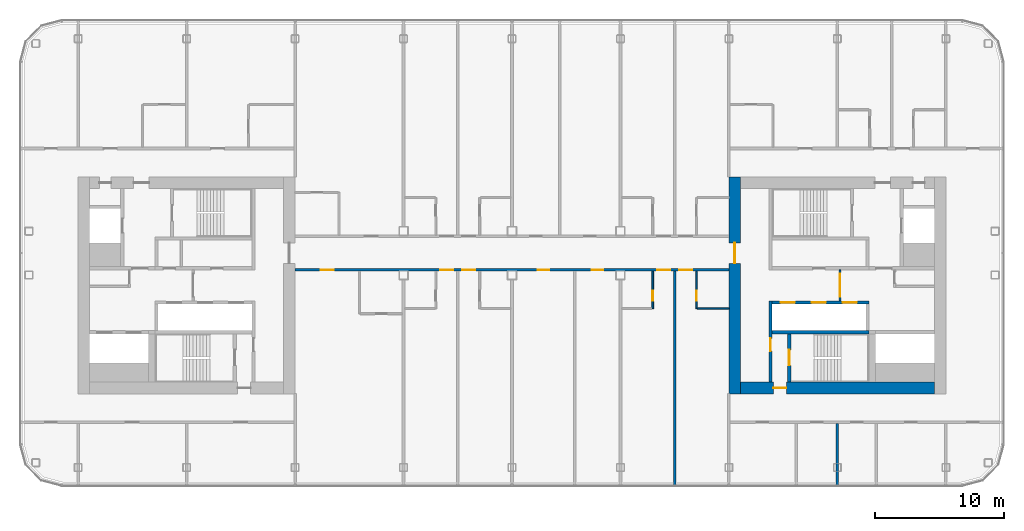
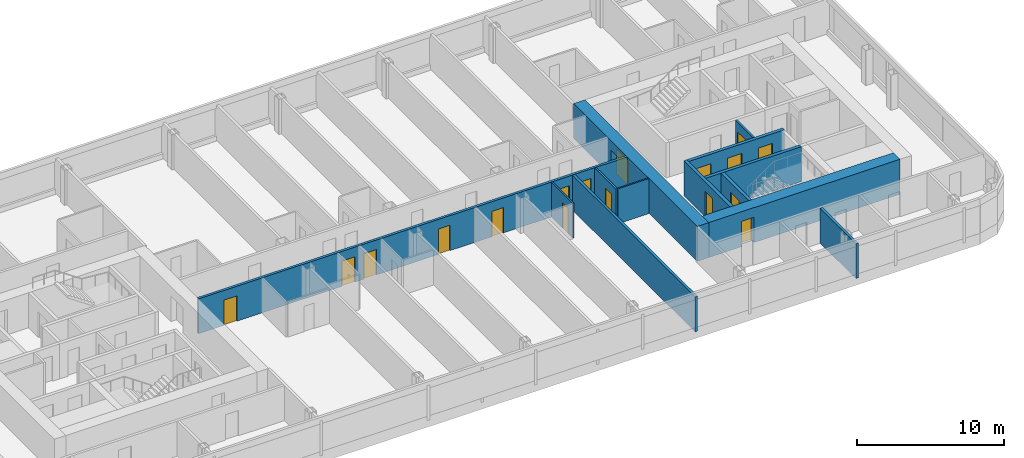
# One storey, part 15 of 26: 17 doors, 13 walls, 17 openings.
"""IFC4 building model written with IfcOpenShell, lengths in metres."""

from ifc_helpers import new_model, si_unit, direction, frame, frame_2d, origin, place, context, subcontext, project, spatial, rectangle, extrude, material, layer, layer_set, type_object, element, fill, save


model = new_model("IFC4")

# Units and contexts
model_context = context("Model", 3, precision=1e-05, world=origin(), true_north=direction((0.0, 1.0)))
body_context = subcontext(model_context, "Body", "Model", "MODEL_VIEW")
ifc_project = project(units=[si_unit("LENGTHUNIT", "METRE"), si_unit("AREAUNIT", "SQUARE_METRE"), si_unit("VOLUMEUNIT", "CUBIC_METRE"), si_unit("PLANEANGLEUNIT", "RADIAN"), si_unit("MASSUNIT", "GRAM", prefix="KILO")], contexts=[model_context])

# Site, building, storey
site_placement = place(None, origin())
site = spatial("IfcSite", under=ifc_project, at=site_placement, CompositionType="ELEMENT")
building_placement = place(site_placement, origin())
building = spatial("IfcBuilding", under=site, at=building_placement, Name="Hakoniwa Tower and Hamabe Station Hall", CompositionType="ELEMENT")
storey_placement = place(building_placement, frame((0.0, 0.0, 225.0)))
storey = spatial("IfcBuildingStorey", under=building, at=storey_placement, Name="L64", CompositionType="ELEMENT", Elevation=225.0)

# Wall
ifc_material_1 = material(Name="Gypsum board partition", Category="gypsum")
ifc_layer_1 = layer(ifc_material_1, 0.125)
ifc_layer_set_1 = layer_set([ifc_layer_1], Name="Bathroom Partition 125")
wall_type_1 = type_object("IfcWallType", Name="Bathroom Partition 125", PredefinedType="PARTITIONING", material=ifc_layer_set_1)
wall_1_placement = place(storey_placement, frame((14.362548828125, -1.800048828125, 0.0), z_axis=(0.0, 0.0, 1.0), x_axis=(1.0, 0.0, 0.0)))
element("IfcWall", 1, at=wall_1_placement, inside=storey, type_object=wall_type_1, Name="GW-L64-007", PredefinedType="PARTITIONING", context=body_context, shape_type="SweptSolid", body=[
    extrude(rectangle(XDim=2.447509765625, YDim=0.125, at=frame_2d((1.2236328125, 0.0))), origin(), (0.0, 0.0, 1.0), 2.89990234375),
])

# Wall, opening, door
wall_2_placement = place(storey_placement, frame((10.89990234375, -1.800048828125, 0.0), z_axis=(0.0, 0.0, 1.0), x_axis=(0.0, 1.0, 0.0)))
wall_2 = element("IfcWall", 2, at=wall_2_placement, inside=storey, type_object=wall_type_1, Name="GW-L64-046", PredefinedType="PARTITIONING", context=body_context, shape_type="SweptSolid", body=[
    extrude(rectangle(XDim=2.900146484375, YDim=0.125, at=frame_2d((1.4501953125, 0.0))), origin(), (0.0, 0.0, 1.0), 2.89990234375),
])
opening_1_placement = place(wall_2_placement, frame((0.60009765625, 0.0, 0.0)))
opening_1 = element("IfcOpeningElement", 3, at=opening_1_placement, cuts=wall_2, Name="Opening GD-G4C2-39", PredefinedType="OPENING", context=body_context, shape_type="SweptSolid", body=[
    extrude(rectangle(XDim=0.800048828125, YDim=2.10009765625, at=frame_2d((0.39990234375, 1.050048828125))), frame((0.0, 0.072509765625, 0.0), z_axis=(0.0, -1.0, 0.0), x_axis=(1.0, 0.0, 0.0)), (0.0, 0.0, 1.0), 0.14501953125),
])
ifc_material_2 = material(Name="Timber door leaf", Category="wood")
door_type_1 = type_object("IfcDoorType", Name="Bathroom Door 800", OperationType="SINGLE_SWING_LEFT", PredefinedType="DOOR", material=ifc_material_2)
door_1_placement = place(opening_1_placement, origin())
door_1 = element("IfcDoor", 4, at=door_1_placement, inside=storey, type_object=door_type_1, Name="Door GD-G4C2-39", OperationType="SINGLE_SWING_RIGHT", OverallHeight=2.10009765625, OverallWidth=0.800048828125, PredefinedType="DOOR", context=body_context, shape_type="SweptSolid", body=[
    extrude(rectangle(XDim=0.800048828125, YDim=2.10009765625, at=frame_2d((0.39990234375, 1.050048828125))), frame((0.0, 0.02490234375, 0.0), z_axis=(0.0, -1.0, 0.0), x_axis=(1.0, 0.0, 0.0)), (0.0, 0.0, 1.0), 0.050048828125),
])
fill(opening_1, door_1)

wall_3_placement = place(storey_placement, frame((14.300048828125, -1.800048828125, 0.0), z_axis=(0.0, 0.0, 1.0), x_axis=(0.0, 1.0, 0.0)))
wall_3 = element("IfcWall", 5, at=wall_3_placement, inside=storey, type_object=wall_type_1, Name="GW-L64-050", PredefinedType="PARTITIONING", context=body_context, shape_type="SweptSolid", body=[
    extrude(rectangle(XDim=2.900146484375, YDim=0.125, at=frame_2d((1.4501953125, 0.0))), origin(), (0.0, 0.0, 1.0), 2.89990234375),
])
opening_2_placement = place(wall_3_placement, frame((0.60009765625, 0.0, 0.0)))
opening_2 = element("IfcOpeningElement", 6, at=opening_2_placement, cuts=wall_3, Name="Opening GD-G4C2-41", PredefinedType="OPENING", context=body_context, shape_type="SweptSolid", body=[
    extrude(rectangle(XDim=0.800048828125, YDim=2.10009765625, at=frame_2d((0.39990234375, 1.050048828125))), frame((0.0, 0.072509765625, 0.0), z_axis=(0.0, -1.0, 0.0), x_axis=(1.0, 0.0, 0.0)), (0.0, 0.0, 1.0), 0.14501953125),
])
door_2_placement = place(opening_2_placement, origin())
door_2 = element("IfcDoor", 7, at=door_2_placement, inside=storey, type_object=door_type_1, Name="Door GD-G4C2-41", OperationType="SINGLE_SWING_LEFT", OverallHeight=2.10009765625, OverallWidth=0.800048828125, PredefinedType="DOOR", context=body_context, shape_type="SweptSolid", body=[
    extrude(rectangle(XDim=0.800048828125, YDim=2.10009765625, at=frame_2d((0.39990234375, 1.050048828125))), frame((0.0, 0.02490234375, 0.0), z_axis=(0.0, -1.0, 0.0), x_axis=(1.0, 0.0, 0.0)), (0.0, 0.0, 1.0), 0.050048828125),
])
fill(opening_2, door_2)

ifc_material_3 = material(Name="Gypsum board partition")
ifc_layer_2 = layer(ifc_material_3, 0.14990234375)
ifc_layer_set_2 = layer_set([ifc_layer_2], Name="CORE PARTITION 150 EI 60")
wall_type_2 = type_object("IfcWallType", Name="CORE PARTITION 150 EI 60", PredefinedType="PARTITIONING", material=ifc_layer_set_2)
wall_4_placement = place(storey_placement, frame((25.39990234375, -1.199951171875, 0.0), z_axis=(0.0, 0.0, 1.0), x_axis=(0.0, 1.0, 0.0)))
wall_4 = element("IfcWall", 8, at=wall_4_placement, inside=storey, type_object=wall_type_2, Name="Core partition PL0 east", PredefinedType="PARTITIONING", context=body_context, shape_type="SweptSolid", body=[
    extrude(rectangle(XDim=2.39990234375, YDim=0.14990234375, at=frame_2d((1.199951171875, 0.0))), origin(), (0.0, 0.0, 1.0), 2.89990234375),
])
opening_3_placement = place(wall_4_placement, frame((0.300048828125, 0.0, 0.0)))
opening_3 = element("IfcOpeningElement", 9, at=opening_3_placement, cuts=wall_4, Name="Opening CD-E-LP0-18", PredefinedType="OPENING", context=body_context, shape_type="SweptSolid", body=[
    extrude(rectangle(XDim=1.800048828125, YDim=2.10009765625, at=frame_2d((0.89990234375, 1.050048828125))), frame((0.0, 0.0849609375, 0.0), z_axis=(0.0, -1.0, 0.0), x_axis=(1.0, 0.0, 0.0)), (0.0, 0.0, 1.0), 0.169921875),
])
ifc_material_4 = material(Name="Steel fire door", Category="steel")
door_type_2 = type_object("IfcDoorType", Name="CORE DOOR 1800 FD60", OperationType="DOUBLE_DOOR_SINGLE_SWING", PredefinedType="DOOR", material=ifc_material_4)
door_3_placement = place(opening_3_placement, origin())
door_3 = element("IfcDoor", 10, at=door_3_placement, inside=storey, type_object=door_type_2, Name="Lift lobby partition door", OperationType="DOUBLE_DOOR_SINGLE_SWING", OverallHeight=2.10009765625, OverallWidth=1.800048828125, PredefinedType="DOOR", context=body_context, shape_type="SweptSolid", body=[
    extrude(rectangle(XDim=1.800048828125, YDim=2.10009765625, at=frame_2d((0.89990234375, 1.050048828125))), frame((0.0, 0.02490234375, 0.0), z_axis=(0.0, -1.0, 0.0), x_axis=(1.0, 0.0, 0.0)), (0.0, 0.0, 1.0), 0.050048828125),
])
fill(opening_3, door_3)

ifc_material_5 = material(Name="Concrete C60", Category="concrete")
ifc_layer_3 = layer(ifc_material_5, 0.89990234375)
ifc_layer_set_3 = layer_set([ifc_layer_3], Name="CORE WALL 900 C60")
wall_type_3 = type_object("IfcWallType", Name="CORE WALL 900 C60", PredefinedType="SHEAR", material=ifc_layer_set_3)
wall_5_placement = place(storey_placement, frame((17.25, -8.39990234375, 0.0), z_axis=(0.0, 0.0, 1.0), x_axis=(0.0, 1.0, 0.0)))
wall_5 = element("IfcWall", 11, at=wall_5_placement, inside=storey, type_object=wall_type_3, Name="Core wall INNER east", PredefinedType="SHEAR", context=body_context, shape_type="SweptSolid", body=[
    extrude(rectangle(XDim=16.7998046875, YDim=0.89990234375, at=frame_2d((8.39990234375, 0.0))), origin(), (0.0, 0.0, 1.0), 2.89990234375),
])
opening_4_placement = place(wall_5_placement, frame((10.10009765625, 0.0, 0.0)))
opening_4 = element("IfcOpeningElement", 12, at=opening_4_placement, cuts=wall_5, Name="Opening CD-E-IN1-16", PredefinedType="OPENING", context=body_context, shape_type="SweptSolid", body=[
    extrude(rectangle(XDim=1.60009765625, YDim=2.10009765625, at=frame_2d((0.800048828125, 1.050048828125))), frame((0.0, 0.4599609375, 0.0), z_axis=(0.0, -1.0, 0.0), x_axis=(1.0, 0.0, 0.0)), (0.0, 0.0, 1.0), 0.919921875),
])
ifc_material_6 = material(Name="Steel fire door", Category="steel")
door_type_3 = type_object("IfcDoorType", Name="CORE DOOR 1600 FD60", OperationType="DOUBLE_DOOR_SINGLE_SWING", PredefinedType="DOOR", material=ifc_material_6)
door_4_placement = place(opening_4_placement, origin())
door_4 = element("IfcDoor", 13, at=door_4_placement, inside=storey, type_object=door_type_3, Name="Lift lobby door", OperationType="DOUBLE_DOOR_SINGLE_SWING", OverallHeight=2.10009765625, OverallWidth=1.60009765625, PredefinedType="DOOR", context=body_context, shape_type="SweptSolid", body=[
    extrude(rectangle(XDim=1.60009765625, YDim=2.10009765625, at=frame_2d((0.800048828125, 1.050048828125))), frame((0.0, 0.02490234375, 0.0), z_axis=(0.0, -1.0, 0.0), x_axis=(1.0, 0.0, 0.0)), (0.0, 0.0, 1.0), 0.050048828125),
])
fill(opening_4, door_4)

wall_6_placement = place(storey_placement, frame((17.699951171875, -7.949951171875, 0.0), z_axis=(0.0, 0.0, 1.0), x_axis=(1.0, 0.0, 0.0)))
wall_6 = element("IfcWall", 14, at=wall_6_placement, inside=storey, type_object=wall_type_3, Name="Core wall SOUTH east", PredefinedType="SHEAR", context=body_context, shape_type="SweptSolid", body=[
    extrude(rectangle(XDim=15.0, YDim=0.89990234375, at=frame_2d((7.5, 0.0))), origin(), (0.0, 0.0, 1.0), 2.89990234375),
])
opening_5_placement = place(wall_6_placement, frame((2.550048828125, 0.0, 0.0)))
opening_5 = element("IfcOpeningElement", 15, at=opening_5_placement, cuts=wall_6, Name="Opening CD-E-FS3-10", PredefinedType="OPENING", context=body_context, shape_type="SweptSolid", body=[
    extrude(rectangle(XDim=1.0, YDim=2.10009765625, at=frame_2d((0.5, 1.050048828125))), frame((0.0, 0.4599609375, 0.0), z_axis=(0.0, -1.0, 0.0), x_axis=(1.0, 0.0, 0.0)), (0.0, 0.0, 1.0), 0.919921875),
])
ifc_material_7 = material(Name="Steel fire door", Category="steel")
door_type_4 = type_object("IfcDoorType", Name="CORE DOOR 1000 FD60", OperationType="NOTDEFINED", PredefinedType="DOOR", material=ifc_material_7)
door_5_placement = place(opening_5_placement, origin())
door_5 = element("IfcDoor", 16, at=door_5_placement, inside=storey, type_object=door_type_4, Name="Stair vestibule door", OperationType="SINGLE_SWING_LEFT", OverallHeight=2.10009765625, OverallWidth=1.0, PredefinedType="DOOR", context=body_context, shape_type="SweptSolid", body=[
    extrude(rectangle(XDim=1.0, YDim=2.10009765625, at=frame_2d((0.5, 1.050048828125))), frame((0.0, 0.02490234375, 0.0), z_axis=(0.0, -1.0, 0.0), x_axis=(1.0, 0.0, 0.0)), (0.0, 0.0, 1.0), 0.050048828125),
])
fill(opening_5, door_5)

ifc_material_8 = material(Name="Concrete C60", Category="concrete")
ifc_layer_4 = layer(ifc_material_8, 0.25)
ifc_layer_set_4 = layer_set([ifc_layer_4], Name="CORE WEB WALL 250 C60")
wall_type_4 = type_object("IfcWallType", Name="CORE WEB WALL 250 C60", PredefinedType="SHEAR", material=ifc_layer_set_4)
wall_7_placement = place(storey_placement, frame((20.02490234375, -7.5, 0.0), z_axis=(0.0, 0.0, 1.0), x_axis=(0.0, 1.0, 0.0)))
wall_7 = element("IfcWall", 17, at=wall_7_placement, inside=storey, type_object=wall_type_4, Name="Core wall W1S east", PredefinedType="SHEAR", context=body_context, shape_type="SweptSolid", body=[
    extrude(rectangle(XDim=6.300048828125, YDim=0.25, at=frame_2d((3.14990234375, 0.0))), origin(), (0.0, 0.0, 1.0), 2.89990234375),
])
opening_6_placement = place(wall_7_placement, frame((2.39990234375, 0.0, 0.0)))
opening_6 = element("IfcOpeningElement", 18, at=opening_6_placement, cuts=wall_7, Name="Opening CD-E-VS-10", PredefinedType="OPENING", context=body_context, shape_type="SweptSolid", body=[
    extrude(rectangle(XDim=1.0, YDim=2.10009765625, at=frame_2d((0.5, 1.050048828125))), frame((0.0, 0.135009765625, 0.0), z_axis=(0.0, -1.0, 0.0), x_axis=(1.0, 0.0, 0.0)), (0.0, 0.0, 1.0), 0.27001953125),
])
door_6_placement = place(opening_6_placement, origin())
door_6 = element("IfcDoor", 19, at=door_6_placement, inside=storey, type_object=door_type_4, Name="Stair vestibule door", OperationType="SINGLE_SWING_RIGHT", OverallHeight=2.10009765625, OverallWidth=1.0, PredefinedType="DOOR", context=body_context, shape_type="SweptSolid", body=[
    extrude(rectangle(XDim=1.0, YDim=2.10009765625, at=frame_2d((0.5, 1.050048828125))), frame((0.0, 0.02490234375, 0.0), z_axis=(0.0, -1.0, 0.0), x_axis=(1.0, 0.0, 0.0)), (0.0, 0.0, 1.0), 0.050048828125),
])
fill(opening_6, door_6)

# Wall, openings, doors
wall_8_placement = place(storey_placement, frame((20.14990234375, -1.324951171875, 0.0), z_axis=(0.0, 0.0, 1.0), x_axis=(1.0, 0.0, 0.0)))
wall_8 = element("IfcWall", 20, at=wall_8_placement, inside=storey, type_object=wall_type_4, Name="Core wall SF east", PredefinedType="SHEAR", context=body_context, shape_type="SweptSolid", body=[
    extrude(rectangle(XDim=7.5, YDim=0.25, at=frame_2d((3.75, 0.0))), origin(), (0.0, 0.0, 1.0), 2.89990234375),
])
opening_7_placement = place(wall_8_placement, frame((0.64990234375, 0.0, 0.0)))
opening_7 = element("IfcOpeningElement", 21, at=opening_7_placement, cuts=wall_8, Name="Opening LD-HR4", PredefinedType="OPENING", context=body_context, shape_type="SweptSolid", body=[
    extrude(rectangle(XDim=1.10009765625, YDim=2.10009765625, at=frame_2d((0.550048828125, 1.050048828125))), frame((0.0, 0.135009765625, 0.0), z_axis=(0.0, -1.0, 0.0), x_axis=(1.0, 0.0, 0.0)), (0.0, 0.0, 1.0), 0.27001953125),
])
opening_8_placement = place(wall_8_placement, frame((3.050048828125, 0.0, 0.0)))
opening_8 = element("IfcOpeningElement", 22, at=opening_8_placement, cuts=wall_8, Name="Opening LD-HR5", PredefinedType="OPENING", context=body_context, shape_type="SweptSolid", body=[
    extrude(rectangle(XDim=1.10009765625, YDim=2.10009765625, at=frame_2d((0.550048828125, 1.050048828125))), frame((0.0, 0.135009765625, 0.0), z_axis=(0.0, -1.0, 0.0), x_axis=(1.0, 0.0, 0.0)), (0.0, 0.0, 1.0), 0.27001953125),
])
opening_9_placement = place(wall_8_placement, frame((5.449951171875, 0.0, 0.0)))
opening_9 = element("IfcOpeningElement", 23, at=opening_9_placement, cuts=wall_8, Name="Opening LD-HR6", PredefinedType="OPENING", context=body_context, shape_type="SweptSolid", body=[
    extrude(rectangle(XDim=1.10009765625, YDim=2.10009765625, at=frame_2d((0.550048828125, 1.050048828125))), frame((0.0, 0.135009765625, 0.0), z_axis=(0.0, -1.0, 0.0), x_axis=(1.0, 0.0, 0.0)), (0.0, 0.0, 1.0), 0.27001953125),
])
ifc_material_9 = material(Name="Stainless steel SUS304", Category="steel")
door_type_5 = type_object("IfcDoorType", Name="LIFT LANDING DOOR 1100 FD60", OperationType="DOUBLE_DOOR_SLIDING", PredefinedType="DOOR", material=ifc_material_9)
door_7_placement = place(opening_7_placement, origin())
door_7 = element("IfcDoor", 24, at=door_7_placement, inside=storey, type_object=door_type_5, Name="Lift landing door HR4 L64", OperationType="DOUBLE_DOOR_SLIDING", OverallHeight=2.10009765625, OverallWidth=1.10009765625, PredefinedType="DOOR", context=body_context, shape_type="SweptSolid", body=[
    extrude(rectangle(XDim=1.10009765625, YDim=2.10009765625, at=frame_2d((0.550048828125, 1.050048828125))), frame((0.0, 0.02490234375, 0.0), z_axis=(0.0, -1.0, 0.0), x_axis=(1.0, 0.0, 0.0)), (0.0, 0.0, 1.0), 0.050048828125),
])
fill(opening_7, door_7)
door_8_placement = place(opening_8_placement, origin())
door_8 = element("IfcDoor", 25, at=door_8_placement, inside=storey, type_object=door_type_5, Name="Lift landing door HR5 L64", OperationType="DOUBLE_DOOR_SLIDING", OverallHeight=2.10009765625, OverallWidth=1.10009765625, PredefinedType="DOOR", context=body_context, shape_type="SweptSolid", body=[
    extrude(rectangle(XDim=1.10009765625, YDim=2.10009765625, at=frame_2d((0.550048828125, 1.050048828125))), frame((0.0, 0.02490234375, 0.0), z_axis=(0.0, -1.0, 0.0), x_axis=(1.0, 0.0, 0.0)), (0.0, 0.0, 1.0), 0.050048828125),
])
fill(opening_8, door_8)
door_9_placement = place(opening_9_placement, origin())
door_9 = element("IfcDoor", 26, at=door_9_placement, inside=storey, type_object=door_type_5, Name="Lift landing door HR6 L64", OperationType="DOUBLE_DOOR_SLIDING", OverallHeight=2.10009765625, OverallWidth=1.10009765625, PredefinedType="DOOR", context=body_context, shape_type="SweptSolid", body=[
    extrude(rectangle(XDim=1.10009765625, YDim=2.10009765625, at=frame_2d((0.550048828125, 1.050048828125))), frame((0.0, 0.02490234375, 0.0), z_axis=(0.0, -1.0, 0.0), x_axis=(1.0, 0.0, 0.0)), (0.0, 0.0, 1.0), 0.050048828125),
])
fill(opening_9, door_9)

# Wall
wall_9_placement = place(storey_placement, frame((20.14990234375, -3.625, 0.0), z_axis=(0.0, 0.0, 1.0), x_axis=(1.0, 0.0, 0.0)))
element("IfcWall", 27, at=wall_9_placement, inside=storey, type_object=wall_type_4, Name="Core wall SR east", PredefinedType="SHEAR", context=body_context, shape_type="SweptSolid", body=[
    extrude(rectangle(XDim=7.5, YDim=0.25, at=frame_2d((3.75, 0.0))), origin(), (0.0, 0.0, 1.0), 2.89990234375),
])

# Wall, opening, door
wall_10_placement = place(storey_placement, frame((21.47509765625, -7.5, 0.0), z_axis=(0.0, 0.0, 1.0), x_axis=(0.0, 1.0, 0.0)))
wall_10 = element("IfcWall", 28, at=wall_10_placement, inside=storey, type_object=wall_type_4, Name="Core wall VE east", PredefinedType="SHEAR", context=body_context, shape_type="SweptSolid", body=[
    extrude(rectangle(XDim=3.75, YDim=0.25, at=frame_2d((1.875, 0.0))), origin(), (0.0, 0.0, 1.0), 2.89990234375),
])
opening_10_placement = place(wall_10_placement, frame((1.300048828125, 0.0, 0.0)))
opening_10 = element("IfcOpeningElement", 29, at=opening_10_placement, cuts=wall_10, Name="Opening CD-E-SS-12", PredefinedType="OPENING", context=body_context, shape_type="SweptSolid", body=[
    extrude(rectangle(XDim=1.199951171875, YDim=2.10009765625, at=frame_2d((0.60009765625, 1.050048828125))), frame((0.0, 0.135009765625, 0.0), z_axis=(0.0, -1.0, 0.0), x_axis=(1.0, 0.0, 0.0)), (0.0, 0.0, 1.0), 0.27001953125),
])
ifc_material_10 = material(Name="Steel fire door", Category="steel")
door_type_6 = type_object("IfcDoorType", Name="CORE DOOR 1200 FD60", OperationType="DOUBLE_DOOR_SINGLE_SWING", PredefinedType="DOOR", material=ifc_material_10)
door_10_placement = place(opening_10_placement, origin())
door_10 = element("IfcDoor", 30, at=door_10_placement, inside=storey, type_object=door_type_6, Name="Escape stair door", OperationType="DOUBLE_DOOR_SINGLE_SWING", OverallHeight=2.10009765625, OverallWidth=1.199951171875, PredefinedType="DOOR", context=body_context, shape_type="SweptSolid", body=[
    extrude(rectangle(XDim=1.199951171875, YDim=2.10009765625, at=frame_2d((0.60009765625, 1.050048828125))), frame((0.0, 0.02490234375, 0.0), z_axis=(0.0, -1.0, 0.0), x_axis=(1.0, 0.0, 0.0)), (0.0, 0.0, 1.0), 0.050048828125),
])
fill(opening_10, door_10)

# Wall, openings, doors
ifc_material_11 = material(Name="Fire-rated gypsum board partition", Category="gypsum")
ifc_layer_5 = layer(ifc_material_11, 0.199951171875)
ifc_layer_set_5 = layer_set([ifc_layer_5], Name="Corridor Wall 200")
wall_type_5 = type_object("IfcWallType", Name="Corridor Wall 200", PredefinedType="PARTITIONING", material=ifc_layer_set_5)
wall_11_placement = place(storey_placement, frame((-16.800048828125, 1.199951171875, 0.0), z_axis=(0.0, 0.0, 1.0), x_axis=(1.0, 0.0, 0.0)))
wall_11 = element("IfcWall", 31, at=wall_11_placement, inside=storey, type_object=wall_type_5, Name="GW-L64-008", PredefinedType="PARTITIONING", context=body_context, shape_type="SweptSolid", body=[
    extrude(rectangle(XDim=33.60009765625, YDim=0.199951171875, at=frame_2d((16.800048828125, 0.0))), origin(), (0.0, 0.0, 1.0), 2.89990234375),
])
opening_11_placement = place(wall_11_placement, frame((2.0, 0.0, 0.0)))
opening_11 = element("IfcOpeningElement", 32, at=opening_11_placement, cuts=wall_11, Name="Opening GD-G4C2-10", PredefinedType="OPENING", context=body_context, shape_type="SweptSolid", body=[
    extrude(rectangle(XDim=1.0, YDim=2.10009765625, at=frame_2d((0.5, 1.050048828125))), frame((0.0, 0.10986328125, 0.0), z_axis=(0.0, -1.0, 0.0), x_axis=(1.0, 0.0, 0.0)), (0.0, 0.0, 1.0), 0.219970703125),
])
opening_12_placement = place(wall_11_placement, frame((11.25, 0.0, 0.0)))
opening_12 = element("IfcOpeningElement", 33, at=opening_12_placement, cuts=wall_11, Name="Opening GD-G4C2-11", PredefinedType="OPENING", context=body_context, shape_type="SweptSolid", body=[
    extrude(rectangle(XDim=1.0, YDim=2.10009765625, at=frame_2d((0.5, 1.050048828125))), frame((0.0, 0.10986328125, 0.0), z_axis=(0.0, -1.0, 0.0), x_axis=(1.0, 0.0, 0.0)), (0.0, 0.0, 1.0), 0.219970703125),
])
opening_13_placement = place(wall_11_placement, frame((12.949951171875, 0.0, 0.0)))
opening_13 = element("IfcOpeningElement", 34, at=opening_13_placement, cuts=wall_11, Name="Opening GD-G4C2-12", PredefinedType="OPENING", context=body_context, shape_type="SweptSolid", body=[
    extrude(rectangle(XDim=1.0, YDim=2.10009765625, at=frame_2d((0.5, 1.050048828125))), frame((0.0, 0.10986328125, 0.0), z_axis=(0.0, -1.0, 0.0), x_axis=(1.0, 0.0, 0.0)), (0.0, 0.0, 1.0), 0.219970703125),
])
opening_14_placement = place(wall_11_placement, frame((18.784912109375, 0.0, 0.0)))
opening_14 = element("IfcOpeningElement", 35, at=opening_14_placement, cuts=wall_11, Name="Opening GD-G4C2-13", PredefinedType="OPENING", context=body_context, shape_type="SweptSolid", body=[
    extrude(rectangle(XDim=0.89990234375, YDim=2.10009765625, at=frame_2d((0.449951171875, 1.050048828125))), frame((0.0, 0.10986328125, 0.0), z_axis=(0.0, -1.0, 0.0), x_axis=(1.0, 0.0, 0.0)), (0.0, 0.0, 1.0), 0.219970703125),
])
opening_15_placement = place(wall_11_placement, frame((22.985107421875, 0.0, 0.0)))
opening_15 = element("IfcOpeningElement", 36, at=opening_15_placement, cuts=wall_11, Name="Opening GD-G4C2-14", PredefinedType="OPENING", context=body_context, shape_type="SweptSolid", body=[
    extrude(rectangle(XDim=0.89990234375, YDim=2.10009765625, at=frame_2d((0.449951171875, 1.050048828125))), frame((0.0, 0.10986328125, 0.0), z_axis=(0.0, -1.0, 0.0), x_axis=(1.0, 0.0, 0.0)), (0.0, 0.0, 1.0), 0.219970703125),
])
opening_16_placement = place(wall_11_placement, frame((28.050048828125, 0.0, 0.0)))
opening_16 = element("IfcOpeningElement", 37, at=opening_16_placement, cuts=wall_11, Name="Opening GD-G4C2-15", PredefinedType="OPENING", context=body_context, shape_type="SweptSolid", body=[
    extrude(rectangle(XDim=1.0, YDim=2.10009765625, at=frame_2d((0.5, 1.050048828125))), frame((0.0, 0.10986328125, 0.0), z_axis=(0.0, -1.0, 0.0), x_axis=(1.0, 0.0, 0.0)), (0.0, 0.0, 1.0), 0.219970703125),
])
opening_17_placement = place(wall_11_placement, frame((29.75, 0.0, 0.0)))
opening_17 = element("IfcOpeningElement", 38, at=opening_17_placement, cuts=wall_11, Name="Opening GD-G4C2-16", PredefinedType="OPENING", context=body_context, shape_type="SweptSolid", body=[
    extrude(rectangle(XDim=1.0, YDim=2.10009765625, at=frame_2d((0.5, 1.050048828125))), frame((0.0, 0.10986328125, 0.0), z_axis=(0.0, -1.0, 0.0), x_axis=(1.0, 0.0, 0.0)), (0.0, 0.0, 1.0), 0.219970703125),
])
ifc_material_12 = material(Name="Timber door leaf", Category="wood")
door_type_7 = type_object("IfcDoorType", Name="Guest Entrance Door 1000", OperationType="SINGLE_SWING_LEFT", PredefinedType="DOOR", material=ifc_material_12)
door_11_placement = place(opening_11_placement, origin())
door_11 = element("IfcDoor", 39, at=door_11_placement, inside=storey, type_object=door_type_7, Name="Door GD-G4C2-10", OperationType="SINGLE_SWING_RIGHT", OverallHeight=2.10009765625, OverallWidth=1.0, PredefinedType="DOOR", context=body_context, shape_type="SweptSolid", body=[
    extrude(rectangle(XDim=1.0, YDim=2.10009765625, at=frame_2d((0.5, 1.050048828125))), frame((0.0, 0.02490234375, 0.0), z_axis=(0.0, -1.0, 0.0), x_axis=(1.0, 0.0, 0.0)), (0.0, 0.0, 1.0), 0.050048828125),
])
fill(opening_11, door_11)
door_12_placement = place(opening_12_placement, origin())
door_12 = element("IfcDoor", 40, at=door_12_placement, inside=storey, type_object=door_type_7, Name="Door GD-G4C2-11", OperationType="SINGLE_SWING_LEFT", OverallHeight=2.10009765625, OverallWidth=1.0, PredefinedType="DOOR", context=body_context, shape_type="SweptSolid", body=[
    extrude(rectangle(XDim=1.0, YDim=2.10009765625, at=frame_2d((0.5, 1.050048828125))), frame((0.0, 0.02490234375, 0.0), z_axis=(0.0, -1.0, 0.0), x_axis=(1.0, 0.0, 0.0)), (0.0, 0.0, 1.0), 0.050048828125),
])
fill(opening_12, door_12)
door_13_placement = place(opening_13_placement, origin())
door_13 = element("IfcDoor", 41, at=door_13_placement, inside=storey, type_object=door_type_7, Name="Door GD-G4C2-12", OperationType="SINGLE_SWING_RIGHT", OverallHeight=2.10009765625, OverallWidth=1.0, PredefinedType="DOOR", context=body_context, shape_type="SweptSolid", body=[
    extrude(rectangle(XDim=1.0, YDim=2.10009765625, at=frame_2d((0.5, 1.050048828125))), frame((0.0, 0.02490234375, 0.0), z_axis=(0.0, -1.0, 0.0), x_axis=(1.0, 0.0, 0.0)), (0.0, 0.0, 1.0), 0.050048828125),
])
fill(opening_13, door_13)
door_14_placement = place(opening_16_placement, origin())
door_14 = element("IfcDoor", 42, at=door_14_placement, inside=storey, type_object=door_type_7, Name="Door GD-G4C2-15", OperationType="SINGLE_SWING_LEFT", OverallHeight=2.10009765625, OverallWidth=1.0, PredefinedType="DOOR", context=body_context, shape_type="SweptSolid", body=[
    extrude(rectangle(XDim=1.0, YDim=2.10009765625, at=frame_2d((0.5, 1.050048828125))), frame((0.0, 0.02490234375, 0.0), z_axis=(0.0, -1.0, 0.0), x_axis=(1.0, 0.0, 0.0)), (0.0, 0.0, 1.0), 0.050048828125),
])
fill(opening_16, door_14)
door_15_placement = place(opening_17_placement, origin())
door_15 = element("IfcDoor", 43, at=door_15_placement, inside=storey, type_object=door_type_7, Name="Door GD-G4C2-16", OperationType="SINGLE_SWING_RIGHT", OverallHeight=2.10009765625, OverallWidth=1.0, PredefinedType="DOOR", context=body_context, shape_type="SweptSolid", body=[
    extrude(rectangle(XDim=1.0, YDim=2.10009765625, at=frame_2d((0.5, 1.050048828125))), frame((0.0, 0.02490234375, 0.0), z_axis=(0.0, -1.0, 0.0), x_axis=(1.0, 0.0, 0.0)), (0.0, 0.0, 1.0), 0.050048828125),
])
fill(opening_17, door_15)
ifc_material_13 = material(Name="Timber door leaf", Category="wood")
door_type_8 = type_object("IfcDoorType", Name="Service Door 900", OperationType="SINGLE_SWING_LEFT", PredefinedType="DOOR", material=ifc_material_13)
door_16_placement = place(opening_14_placement, origin())
door_16 = element("IfcDoor", 44, at=door_16_placement, inside=storey, type_object=door_type_8, Name="Door GD-G4C2-13", OperationType="SINGLE_SWING_LEFT", OverallHeight=2.10009765625, OverallWidth=0.89990234375, PredefinedType="DOOR", context=body_context, shape_type="SweptSolid", body=[
    extrude(rectangle(XDim=0.89990234375, YDim=2.10009765625, at=frame_2d((0.449951171875, 1.050048828125))), frame((0.0, 0.02490234375, 0.0), z_axis=(0.0, -1.0, 0.0), x_axis=(1.0, 0.0, 0.0)), (0.0, 0.0, 1.0), 0.050048828125),
])
fill(opening_14, door_16)
door_17_placement = place(opening_15_placement, origin())
door_17 = element("IfcDoor", 45, at=door_17_placement, inside=storey, type_object=door_type_8, Name="Door GD-G4C2-14", OperationType="SINGLE_SWING_LEFT", OverallHeight=2.10009765625, OverallWidth=0.89990234375, PredefinedType="DOOR", context=body_context, shape_type="SweptSolid", body=[
    extrude(rectangle(XDim=0.89990234375, YDim=2.10009765625, at=frame_2d((0.449951171875, 1.050048828125))), frame((0.0, 0.02490234375, 0.0), z_axis=(0.0, -1.0, 0.0), x_axis=(1.0, 0.0, 0.0)), (0.0, 0.0, 1.0), 0.050048828125),
])
fill(opening_15, door_17)

# Walls
ifc_material_14 = material(Name="Fire-rated gypsum board partition", Category="gypsum")
ifc_layer_6 = layer(ifc_material_14, 0.199951171875)
ifc_layer_set_6 = layer_set([ifc_layer_6], Name="Party Wall 200")
wall_type_6 = type_object("IfcWallType", Name="Party Wall 200", PredefinedType="PARTITIONING", material=ifc_layer_set_6)
wall_12_placement = place(storey_placement, frame((12.60009765625, -15.550048828125, 0.0), z_axis=(0.0, 0.0, 1.0), x_axis=(0.0, 1.0, 0.0)))
element("IfcWall", 46, at=wall_12_placement, inside=storey, type_object=wall_type_6, Name="GW-L64-048", PredefinedType="PARTITIONING", context=body_context, shape_type="SweptSolid", body=[
    extrude(rectangle(XDim=16.650146484375, YDim=0.199951171875, at=frame_2d((8.3251953125, 0.0))), origin(), (0.0, 0.0, 1.0), 2.89990234375),
])
wall_13_placement = place(storey_placement, frame((25.199951171875, -15.550048828125, 0.0), z_axis=(0.0, 0.0, 1.0), x_axis=(0.0, 1.0, 0.0)))
element("IfcWall", 47, at=wall_13_placement, inside=storey, type_object=wall_type_6, Name="GW-L64-056", PredefinedType="PARTITIONING", context=body_context, shape_type="SweptSolid", body=[
    extrude(rectangle(XDim=4.85009765625, YDim=0.199951171875, at=frame_2d((2.425048828125, 0.0))), origin(), (0.0, 0.0, 1.0), 2.89990234375),
])

save(model, "model.ifc")
